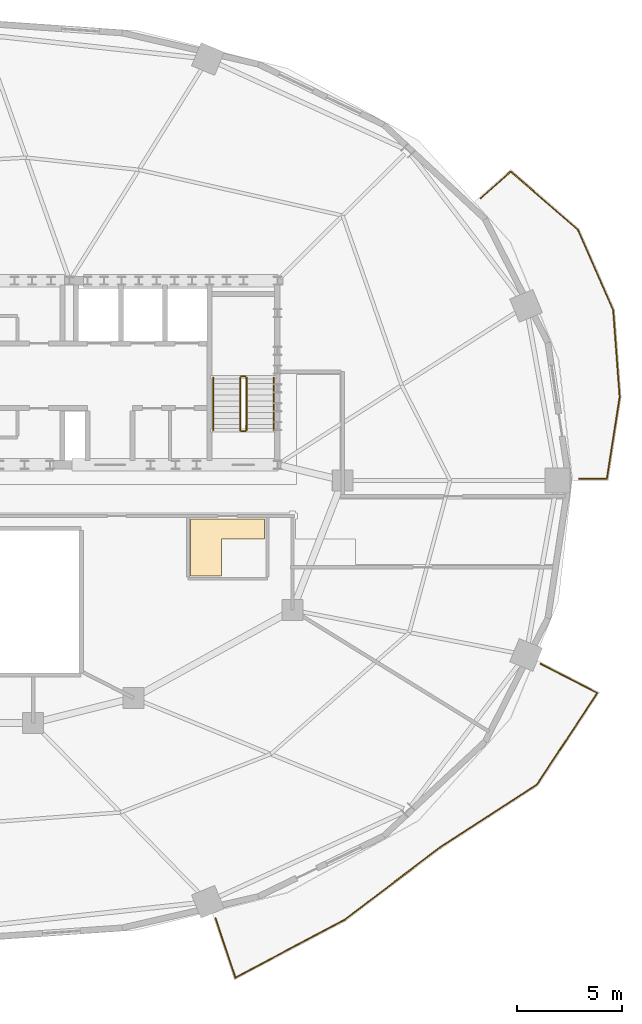
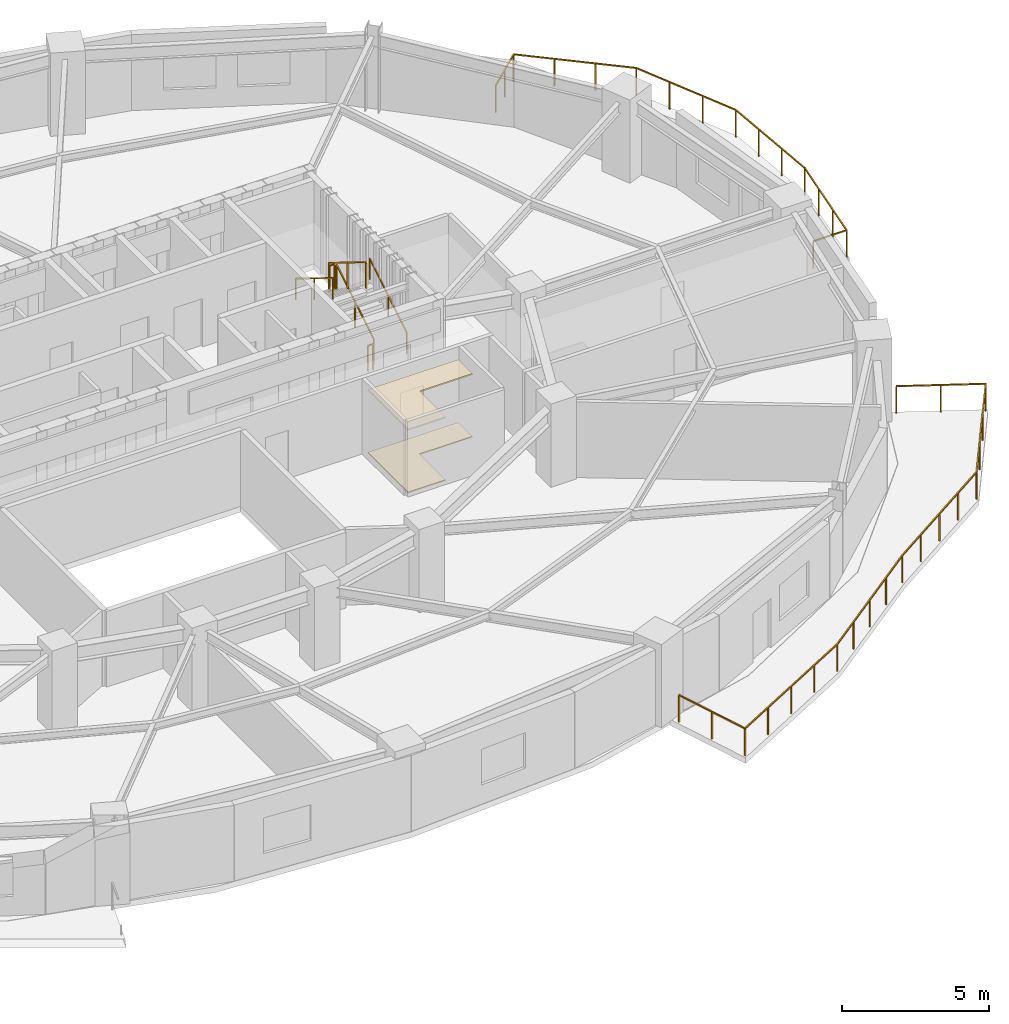
# One storey, part 11 of 11: 8 railings, 2 coverings.
"""IFC4 building model written with IfcOpenShell, lengths in metres."""

from ifc_helpers import new_model, si_unit, direction, frame, origin, origin_2d, place, context, subcontext, project, spatial, polyline, rectangle, outline, extrude, material, layer, layer_set, type_object, element, save


model = new_model("IFC4")

# Units and contexts
model_context = context("Model", 3, precision=1e-05, world=origin(), true_north=direction((0.0, 1.0)))
body_context = subcontext(model_context, "Body", "Model", "MODEL_VIEW")
ifc_project = project(units=[si_unit("LENGTHUNIT", "METRE"), si_unit("AREAUNIT", "SQUARE_METRE"), si_unit("VOLUMEUNIT", "CUBIC_METRE"), si_unit("PLANEANGLEUNIT", "RADIAN"), si_unit("MASSUNIT", "GRAM", prefix="KILO")], contexts=[model_context])

# Site, building, storey
site_placement = place(None, origin())
site = spatial("IfcSite", under=ifc_project, at=site_placement, CompositionType="ELEMENT")
building_placement = place(site_placement, origin())
building = spatial("IfcBuilding", under=site, at=building_placement, Name="Haldorwick Loom Tower", CompositionType="ELEMENT")
storey_placement = place(building_placement, frame((0.0, 0.0, 218.64990234375)))
storey = spatial("IfcBuildingStorey", under=building, at=storey_placement, Name="L59", CompositionType="ELEMENT", Elevation=218.64990234375)

# Coverings
ifc_material_1 = material(Name="Mineral Fibre Acoustic Ceiling Tile")
ifc_layer_1 = layer(ifc_material_1, 0.054931640625, Name="Mineral Fibre Acoustic Ceiling Tile")
ifc_layer_set_1 = layer_set([ifc_layer_1], Name="Mineral Fibre Acoustic Ceiling Tile")
covering_type_1 = type_object("IfcCoveringType", Name="ARC-COV-CEIL2", PredefinedType="CEILING", material=ifc_layer_set_1)
covering_1_placement = place(storey_placement, frame((0.0, 0.0, 2.59521484375)))
element("IfcCovering", 1, at=covering_1_placement, inside=storey, type_object=covering_type_1, Name="L59 Acoustic Suspended Ceiling 2", PredefinedType="CEILING", context=body_context, shape_type="SweptSolid", body=[
    extrude(outline(polyline([(45.929931640625, 24.159912109375), (45.929931640625, 21.429931640625), (47.39990234375, 21.429931640625), (47.39990234375, 23.199951171875), (49.469970703125, 23.199951171875), (49.469970703125, 24.159912109375), (45.929931640625, 24.159912109375)])), origin(), (0.0, 0.0, 1.0), 0.054931640625),
])
ifc_material_2 = material(Name="Polished Aggregate Terrazzo Finish")
ifc_layer_2 = layer(ifc_material_2, 0.044921875, Name="Polished Aggregate Terrazzo Finish")
ifc_layer_set_2 = layer_set([ifc_layer_2], Name="Polished Aggregate Terrazzo Finish")
covering_type_2 = type_object("IfcCoveringType", Name="ARC-COV-FLOOR2", PredefinedType="FLOORING", material=ifc_layer_set_2)
covering_2_placement = place(storey_placement, origin())
element("IfcCovering", 2, at=covering_2_placement, inside=storey, type_object=covering_type_2, Name="L59 Floor Finish 2", PredefinedType="FLOORING", context=body_context, shape_type="SweptSolid", body=[
    extrude(outline(polyline([(45.929931640625, 24.159912109375), (45.929931640625, 21.429931640625), (47.39990234375, 21.429931640625), (47.39990234375, 23.199951171875), (49.469970703125, 23.199951171875), (49.469970703125, 24.159912109375), (45.929931640625, 24.159912109375)])), origin(), (0.0, 0.0, 1.0), 0.045166015625),
])

# Railings
ifc_material_3 = material(Name="Galvanized Steel CSA G40.21 350W", Category="steel")
railing_type_1 = type_object("IfcRailingType", Name="ARC-RLG-BAL115", PredefinedType="BALUSTRADE", material=ifc_material_3)
railing_1_placement = place(storey_placement, frame((62.660400390625, 17.232666015625, 0.0)))
element("IfcRailing", 3, at=railing_1_placement, inside=storey, type_object=railing_type_1, Name="L59 Outdoor Terrace Guardrail SLB-L59-BAL_SE-1", PredefinedType="BALUSTRADE", context=body_context, shape_type="SweptSolid", body=[
    extrude(rectangle(XDim=0.048095703125, YDim=0.048095703125, at=origin_2d()), frame((0.0, 0.0, 1.1259765625), z_axis=(0.888524619414, -0.458828944918, 0.0), x_axis=(0.458828944918, 0.888524619414, 0.0)), (0.0, 0.0, 1.0), 3.0419921875),
    extrude(rectangle(XDim=0.048095703125, YDim=0.048095703125, at=origin_2d()), frame((2.702880859375, -1.395751953125, 1.1259765625), z_axis=(-0.549979466656, -0.835178176353, 0.0), x_axis=(0.835178176353, -0.549979466656, 0.0)), (0.0, 0.0, 1.0), 5.2373046875),
    extrude(rectangle(XDim=0.048095703125, YDim=0.048095703125, at=origin_2d()), frame((-0.177490234375, -5.769775390625, 1.1259765625), z_axis=(-0.839016715555, -0.544105643253, 0.0), x_axis=(0.544105643253, -0.839016715555, 0.0)), (0.0, 0.0, 1.0), 5.543212890625),
    extrude(rectangle(XDim=0.048095703125, YDim=0.048095703125, at=origin_2d()), frame((-4.828369140625, -8.785888671875, 1.1259765625), z_axis=(-0.819231920519, -0.573462344363, 0.0), x_axis=(0.573462344363, -0.819231920519, 0.0)), (0.0, 0.0, 1.0), 0.005859375),
    extrude(rectangle(XDim=0.048095703125, YDim=0.048095703125, at=origin_2d()), frame((-4.833251953125, -8.789306640625, 1.1259765625), z_axis=(-0.796516988208, -0.604616148887, 0.0), x_axis=(0.604616148887, -0.796516988208, 0.0)), (0.0, 0.0, 1.0), 5.699462890625),
    extrude(rectangle(XDim=0.048095703125, YDim=0.048095703125, at=origin_2d()), frame((-9.373046875, -12.2353515625, 1.1259765625), z_axis=(-0.883895499373, -0.467684451514, 0.0), x_axis=(0.467684451514, -0.883895499373, 0.0)), (0.0, 0.0, 1.0), 5.905029296875),
    extrude(rectangle(XDim=0.048095703125, YDim=0.048095703125, at=origin_2d()), frame((-14.592529296875, -14.9970703125, 1.1259765625), z_axis=(-0.316594076548, 0.948561115951, 0.0), x_axis=(-0.948561115951, -0.316594076548, 0.0)), (0.0, 0.0, 1.0), 2.9990234375),
    extrude(rectangle(XDim=0.0419921875, YDim=0.0419921875, at=origin_2d()), origin(), (0.0, 0.0, 1.0), 1.101806640625),
    extrude(rectangle(XDim=0.0419921875, YDim=0.0419921875, at=origin_2d()), frame((1.3515625, -0.69775390625, 0.0)), (0.0, 0.0, 1.0), 1.101806640625),
    extrude(rectangle(XDim=0.0419921875, YDim=0.0419921875, at=origin_2d()), frame((2.702880859375, -1.395751953125, 0.0)), (0.0, 0.0, 1.0), 1.101806640625),
    extrude(rectangle(XDim=0.0419921875, YDim=0.0419921875, at=origin_2d()), frame((1.74267578125, -2.853759765625, 0.0)), (0.0, 0.0, 1.0), 1.101806640625),
    extrude(rectangle(XDim=0.0419921875, YDim=0.0419921875, at=origin_2d()), frame((0.78271484375, -4.311767578125, 0.0)), (0.0, 0.0, 1.0), 1.101806640625),
    extrude(rectangle(XDim=0.0419921875, YDim=0.0419921875, at=origin_2d()), frame((-0.177490234375, -5.769775390625, 0.0)), (0.0, 0.0, 1.0), 1.101806640625),
    extrude(rectangle(XDim=0.0419921875, YDim=0.0419921875, at=origin_2d()), frame((-1.34033203125, -6.52392578125, 0.0)), (0.0, 0.0, 1.0), 1.101806640625),
    extrude(rectangle(XDim=0.0419921875, YDim=0.0419921875, at=origin_2d()), frame((-2.5029296875, -7.27783203125, 0.0)), (0.0, 0.0, 1.0), 1.101806640625),
    extrude(rectangle(XDim=0.0419921875, YDim=0.0419921875, at=origin_2d()), frame((-3.66552734375, -8.03173828125, 0.0)), (0.0, 0.0, 1.0), 1.101806640625),
    extrude(rectangle(XDim=0.0419921875, YDim=0.0419921875, at=origin_2d()), frame((-4.828369140625, -8.785888671875, 0.0)), (0.0, 0.0, 1.0), 1.101806640625),
    extrude(rectangle(XDim=0.0419921875, YDim=0.0419921875, at=origin_2d()), frame((-5.96826171875, -9.65087890625, 0.0)), (0.0, 0.0, 1.0), 1.101806640625),
    extrude(rectangle(XDim=0.0419921875, YDim=0.0419921875, at=origin_2d()), frame((-7.10302734375, -10.51220703125, 0.0)), (0.0, 0.0, 1.0), 1.101806640625),
    extrude(rectangle(XDim=0.0419921875, YDim=0.0419921875, at=origin_2d()), frame((-8.238037109375, -11.373779296875, 0.0)), (0.0, 0.0, 1.0), 1.101806640625),
    extrude(rectangle(XDim=0.0419921875, YDim=0.0419921875, at=origin_2d()), frame((-9.373046875, -12.2353515625, 0.0)), (0.0, 0.0, 1.0), 1.101806640625),
    extrude(rectangle(XDim=0.0419921875, YDim=0.0419921875, at=origin_2d()), frame((-10.677978515625, -12.92578125, 0.0)), (0.0, 0.0, 1.0), 1.101806640625),
    extrude(rectangle(XDim=0.0419921875, YDim=0.0419921875, at=origin_2d()), frame((-11.98291015625, -13.6162109375, 0.0)), (0.0, 0.0, 1.0), 1.101806640625),
    extrude(rectangle(XDim=0.0419921875, YDim=0.0419921875, at=origin_2d()), frame((-13.28759765625, -14.306640625, 0.0)), (0.0, 0.0, 1.0), 1.101806640625),
    extrude(rectangle(XDim=0.0419921875, YDim=0.0419921875, at=origin_2d()), frame((-14.592529296875, -14.9970703125, 0.0)), (0.0, 0.0, 1.0), 1.101806640625),
    extrude(rectangle(XDim=0.0419921875, YDim=0.0419921875, at=origin_2d()), frame((-15.0673828125, -13.57470703125, 0.0)), (0.0, 0.0, 1.0), 1.101806640625),
    extrude(rectangle(XDim=0.0419921875, YDim=0.0419921875, at=origin_2d()), frame((-15.5419921875, -12.15234375, 0.0)), (0.0, 0.0, 1.0), 1.101806640625),
])
railing_2_placement = place(storey_placement, frame((59.790771484375, 39.47802734375, 0.0)))
element("IfcRailing", 4, at=railing_2_placement, inside=storey, type_object=railing_type_1, Name="L59 Outdoor Terrace Guardrail SLB-L59-BAL_ENE-1", PredefinedType="BALUSTRADE", context=body_context, shape_type="SweptSolid", body=[
    extrude(rectangle(XDim=0.048095703125, YDim=0.048095703125, at=origin_2d()), frame((0.0, 0.0, 1.1259765625), z_axis=(0.746027335235, 0.665915321255, 0.0), x_axis=(-0.665915321255, 0.746027335235, 0.0)), (0.0, 0.0, 1.0), 1.93212890625),
    extrude(rectangle(XDim=0.048095703125, YDim=0.048095703125, at=origin_2d()), frame((1.44140625, 1.28662109375, 1.1259765625), z_axis=(0.754863947747, -0.655881407262, 0.0), x_axis=(0.655881407262, 0.754863947747, 0.0)), (0.0, 0.0, 1.0), 4.249755859375),
    extrude(rectangle(XDim=0.048095703125, YDim=0.048095703125, at=origin_2d()), frame((4.6494140625, -1.500732421875, 1.1259765625), z_axis=(0.40174023839, -0.91575366822, 0.0), x_axis=(0.91575366822, 0.40174023839, 0.0)), (0.0, 0.0, 1.0), 4.19677734375),
    extrude(rectangle(XDim=0.048095703125, YDim=0.048095703125, at=origin_2d()), frame((6.33544921875, -5.343994140625, 1.1259765625), z_axis=(0.074485213789, -0.99722211815, 0.0), x_axis=(0.99722211815, 0.074485213789, 0.0)), (0.0, 0.0, 1.0), 4.16259765625),
    extrude(rectangle(XDim=0.048095703125, YDim=0.048095703125, at=origin_2d()), frame((6.6455078125, -9.4951171875, 1.1259765625), z_axis=(-0.154870789644, -0.987934733935, 0.0), x_axis=(0.987934733935, -0.154870789644, 0.0)), (0.0, 0.0, 1.0), 3.950439453125),
    extrude(rectangle(XDim=0.048095703125, YDim=0.048095703125, at=origin_2d()), frame((6.03369140625, -13.39794921875, 1.1259765625), z_axis=(-1.0, 0.0, 0.0), x_axis=(0.0, -1.0, 0.0)), (0.0, 0.0, 1.0), 1.31494140625),
    extrude(rectangle(XDim=0.0419921875, YDim=0.0419921875, at=origin_2d()), origin(), (0.0, 0.0, 1.0), 1.101806640625),
    extrude(rectangle(XDim=0.0419921875, YDim=0.0419921875, at=origin_2d()), frame((0.720703125, 0.643310546875, 0.0)), (0.0, 0.0, 1.0), 1.101806640625),
    extrude(rectangle(XDim=0.0419921875, YDim=0.0419921875, at=origin_2d()), frame((1.44140625, 1.28662109375, 0.0)), (0.0, 0.0, 1.0), 1.101806640625),
    extrude(rectangle(XDim=0.0419921875, YDim=0.0419921875, at=origin_2d()), frame((2.5107421875, 0.357421875, 0.0)), (0.0, 0.0, 1.0), 1.101806640625),
    extrude(rectangle(XDim=0.0419921875, YDim=0.0419921875, at=origin_2d()), frame((3.580078125, -0.571533203125, 0.0)), (0.0, 0.0, 1.0), 1.101806640625),
    extrude(rectangle(XDim=0.0419921875, YDim=0.0419921875, at=origin_2d()), frame((4.6494140625, -1.500732421875, 0.0)), (0.0, 0.0, 1.0), 1.101806640625),
    extrude(rectangle(XDim=0.0419921875, YDim=0.0419921875, at=origin_2d()), frame((5.21142578125, -2.78173828125, 0.0)), (0.0, 0.0, 1.0), 1.101806640625),
    extrude(rectangle(XDim=0.0419921875, YDim=0.0419921875, at=origin_2d()), frame((5.7734375, -4.06298828125, 0.0)), (0.0, 0.0, 1.0), 1.101806640625),
    extrude(rectangle(XDim=0.0419921875, YDim=0.0419921875, at=origin_2d()), frame((6.33544921875, -5.343994140625, 0.0)), (0.0, 0.0, 1.0), 1.101806640625),
    extrude(rectangle(XDim=0.0419921875, YDim=0.0419921875, at=origin_2d()), frame((6.438720703125, -6.727783203125, 0.0)), (0.0, 0.0, 1.0), 1.101806640625),
    extrude(rectangle(XDim=0.0419921875, YDim=0.0419921875, at=origin_2d()), frame((6.542236328125, -8.111328125, 0.0)), (0.0, 0.0, 1.0), 1.101806640625),
    extrude(rectangle(XDim=0.0419921875, YDim=0.0419921875, at=origin_2d()), frame((6.6455078125, -9.4951171875, 0.0)), (0.0, 0.0, 1.0), 1.101806640625),
    extrude(rectangle(XDim=0.0419921875, YDim=0.0419921875, at=origin_2d()), frame((6.441650390625, -10.796142578125, 0.0)), (0.0, 0.0, 1.0), 1.101806640625),
    extrude(rectangle(XDim=0.0419921875, YDim=0.0419921875, at=origin_2d()), frame((6.237548828125, -12.096923828125, 0.0)), (0.0, 0.0, 1.0), 1.101806640625),
    extrude(rectangle(XDim=0.0419921875, YDim=0.0419921875, at=origin_2d()), frame((6.03369140625, -13.39794921875, 0.0)), (0.0, 0.0, 1.0), 1.101806640625),
    extrude(rectangle(XDim=0.0419921875, YDim=0.0419921875, at=origin_2d()), frame((4.71875, -13.39794921875, 0.0)), (0.0, 0.0, 1.0), 1.101806640625),
])
ifc_material_4 = material(Name="Steel CSA G40.21 350W", Category="steel")
railing_type_2 = type_object("IfcRailingType", Name="ARC-RLG-GUARD112", PredefinedType="GUARDRAIL", material=ifc_material_4)
railing_3_placement = place(storey_placement, frame((48.60009765625, 28.39990234375, 0.172607421875)))
element("IfcRailing", 5, at=railing_3_placement, inside=storey, type_object=railing_type_2, Name="L59 ST-02 stair guard 1", PredefinedType="GUARDRAIL", context=body_context, shape_type="SweptSolid", body=[
    extrude(rectangle(XDim=0.048095703125, YDim=0.048095703125, at=origin_2d()), frame((0.0, 0.0, 1.076171875), z_axis=(0.0, 0.851400495292, 0.524516154772), x_axis=(-1.0, 0.0, 0.0)), (0.0, 0.0, 1.0), 2.9599609375),
    extrude(rectangle(XDim=0.0419921875, YDim=0.0419921875, at=origin_2d()), origin(), (0.0, 0.0, 1.0), 1.052001953125),
    extrude(rectangle(XDim=0.0419921875, YDim=0.0419921875, at=origin_2d()), frame((0.0, 1.260009765625, 0.7763671875)), (0.0, 0.0, 1.0), 1.052001953125),
    extrude(rectangle(XDim=0.0419921875, YDim=0.0419921875, at=origin_2d()), frame((0.0, 2.52001953125, 1.552490234375)), (0.0, 0.0, 1.0), 1.052001953125),
])
railing_4_placement = place(storey_placement, frame((48.550048828125, 30.969970703125, 1.72509765625)))
element("IfcRailing", 6, at=railing_4_placement, inside=storey, type_object=railing_type_2, Name="L59 ST-02 stair guard 2", PredefinedType="GUARDRAIL", context=body_context, shape_type="SweptSolid", body=[
    extrude(rectangle(XDim=0.048095703125, YDim=0.048095703125, at=origin_2d()), frame((0.0, 0.0, 1.076171875), z_axis=(-1.0, 0.0, 0.0), x_axis=(0.0, -1.0, 0.0)), (0.0, 0.0, 1.0), 0.199951171875),
    extrude(rectangle(XDim=0.0419921875, YDim=0.0419921875, at=origin_2d()), origin(), (0.0, 0.0, 1.0), 1.052001953125),
    extrude(rectangle(XDim=0.0419921875, YDim=0.0419921875, at=origin_2d()), frame((-0.199951171875, 0.0, 0.0)), (0.0, 0.0, 1.0), 1.052001953125),
])
railing_5_placement = place(storey_placement, frame((48.300048828125, 30.919921875, 1.897705078125)))
element("IfcRailing", 7, at=railing_5_placement, inside=storey, type_object=railing_type_2, Name="L59 ST-02 stair guard 3", PredefinedType="GUARDRAIL", context=body_context, shape_type="SweptSolid", body=[
    extrude(rectangle(XDim=0.048095703125, YDim=0.048095703125, at=origin_2d()), frame((0.0, 0.0, 1.076171875), z_axis=(0.0, -0.851400495292, 0.524516154772), x_axis=(1.0, 0.0, 0.0)), (0.0, 0.0, 1.0), 2.9599609375),
    extrude(rectangle(XDim=0.0419921875, YDim=0.0419921875, at=origin_2d()), origin(), (0.0, 0.0, 1.0), 1.052001953125),
    extrude(rectangle(XDim=0.0419921875, YDim=0.0419921875, at=origin_2d()), frame((0.0, -1.260009765625, 0.7763671875)), (0.0, 0.0, 1.0), 1.052001953125),
    extrude(rectangle(XDim=0.0419921875, YDim=0.0419921875, at=origin_2d()), frame((0.0, -2.52001953125, 1.552490234375)), (0.0, 0.0, 1.0), 1.052001953125),
])
railing_6_placement = place(storey_placement, frame((48.550048828125, 28.35009765625, 0.0)))
element("IfcRailing", 8, at=railing_6_placement, inside=storey, type_object=railing_type_2, Name="L59 ST-02 stair guard 4", PredefinedType="GUARDRAIL", context=body_context, shape_type="SweptSolid", body=[
    extrude(rectangle(XDim=0.048095703125, YDim=0.048095703125, at=origin_2d()), frame((0.0, 0.0, 1.076171875), z_axis=(-1.0, 0.0, 0.0), x_axis=(0.0, -1.0, 0.0)), (0.0, 0.0, 1.0), 0.199951171875),
    extrude(rectangle(XDim=0.0419921875, YDim=0.0419921875, at=origin_2d()), origin(), (0.0, 0.0, 1.0), 1.052001953125),
    extrude(rectangle(XDim=0.0419921875, YDim=0.0419921875, at=origin_2d()), frame((-0.199951171875, 0.0, 0.0)), (0.0, 0.0, 1.0), 1.052001953125),
])
railing_type_3 = type_object("IfcRailingType", Name="ARC-RLG-HAND092", PredefinedType="HANDRAIL", material=ifc_material_4)
railing_7_placement = place(storey_placement, frame((49.89990234375, 28.39990234375, 0.172607421875)))
element("IfcRailing", 9, at=railing_7_placement, inside=storey, type_object=railing_type_3, Name="L59 ST-02 stair handrail 1", PredefinedType="HANDRAIL", context=body_context, shape_type="SweptSolid", body=[
    extrude(rectangle(XDim=0.048095703125, YDim=0.048095703125, at=origin_2d()), frame((0.0, 0.0, 0.8759765625), z_axis=(0.0, 0.851400495292, 0.524516154772), x_axis=(-1.0, 0.0, 0.0)), (0.0, 0.0, 1.0), 2.9599609375),
    extrude(rectangle(XDim=0.0419921875, YDim=0.0419921875, at=origin_2d()), origin(), (0.0, 0.0, 1.0), 0.851806640625),
    extrude(rectangle(XDim=0.0419921875, YDim=0.0419921875, at=origin_2d()), frame((0.0, 1.260009765625, 0.7763671875)), (0.0, 0.0, 1.0), 0.851806640625),
    extrude(rectangle(XDim=0.0419921875, YDim=0.0419921875, at=origin_2d()), frame((0.0, 2.52001953125, 1.552490234375)), (0.0, 0.0, 1.0), 0.851806640625),
])
railing_8_placement = place(storey_placement, frame((47.0, 30.919921875, 1.897705078125)))
element("IfcRailing", 10, at=railing_8_placement, inside=storey, type_object=railing_type_3, Name="L59 ST-02 stair handrail 2", PredefinedType="HANDRAIL", context=body_context, shape_type="SweptSolid", body=[
    extrude(rectangle(XDim=0.048095703125, YDim=0.048095703125, at=origin_2d()), frame((0.0, 0.0, 0.8759765625), z_axis=(0.0, -0.851400495292, 0.524516154772), x_axis=(1.0, 0.0, 0.0)), (0.0, 0.0, 1.0), 2.9599609375),
    extrude(rectangle(XDim=0.0419921875, YDim=0.0419921875, at=origin_2d()), origin(), (0.0, 0.0, 1.0), 0.851806640625),
    extrude(rectangle(XDim=0.0419921875, YDim=0.0419921875, at=origin_2d()), frame((0.0, -1.260009765625, 0.7763671875)), (0.0, 0.0, 1.0), 0.851806640625),
    extrude(rectangle(XDim=0.0419921875, YDim=0.0419921875, at=origin_2d()), frame((0.0, -2.52001953125, 1.552490234375)), (0.0, 0.0, 1.0), 0.851806640625),
])

save(model, "model.ifc")
